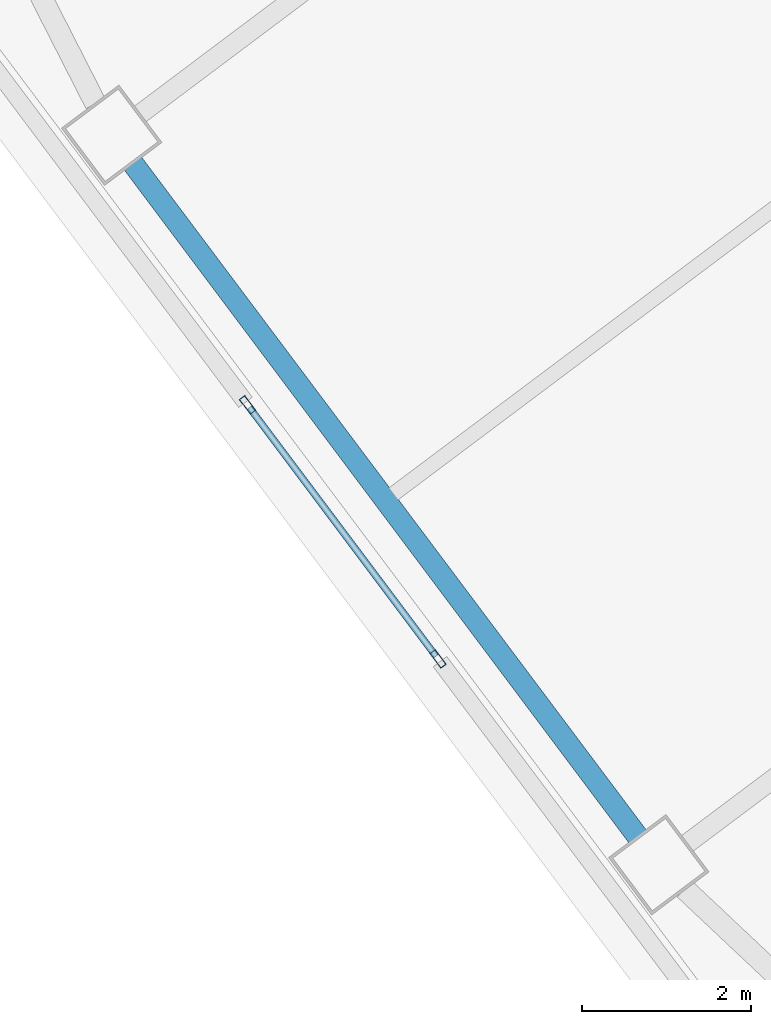
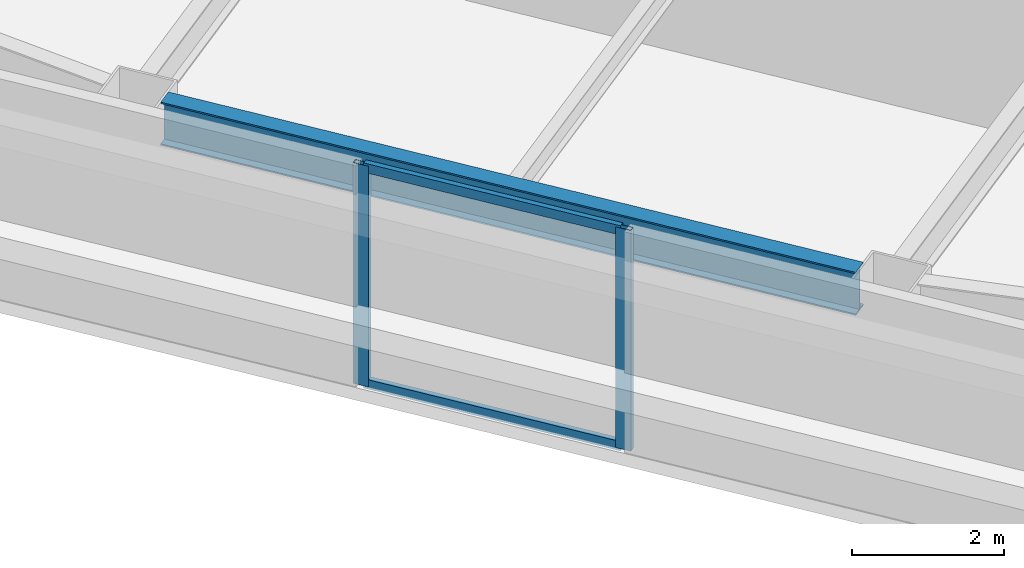
# One storey, part 16 of 44: 4 members, 1 beam, 1 element without a shape of its own.
"""IFC4 building model written with IfcOpenShell, lengths in metres."""

from ifc_helpers import new_model, si_unit, direction, frame, origin, origin_2d, place, context, subcontext, project, spatial, hollow_rectangle, i_section, extrude, material, material_profile, profile_set, type_object, element, aggregate, save


model = new_model("IFC4")

# Units and contexts
model_context = context("Model", 3, precision=1e-05, world=origin(), true_north=direction((0.0, 1.0)))
body_context = subcontext(model_context, "Body", "Model", "MODEL_VIEW")
ifc_project = project(units=[si_unit("LENGTHUNIT", "METRE"), si_unit("AREAUNIT", "SQUARE_METRE"), si_unit("VOLUMEUNIT", "CUBIC_METRE"), si_unit("PLANEANGLEUNIT", "RADIAN"), si_unit("MASSUNIT", "GRAM", prefix="KILO")], contexts=[model_context])

# Site, building, storey
site_placement = place(None, origin())
site = spatial("IfcSite", under=ifc_project, at=site_placement, CompositionType="ELEMENT")
building_placement = place(site_placement, origin())
building = spatial("IfcBuilding", under=site, at=building_placement, Name="Tashvorn Skyway Center", CompositionType="ELEMENT")
storey_placement = place(building_placement, frame((0.0, 0.0, 95.60009765625)))
storey = spatial("IfcBuildingStorey", under=building, at=storey_placement, Name="L25", CompositionType="ELEMENT", Elevation=95.60009765625)

# Beam
ifc_material_1 = material(Name="Steel ASTM A992 Grade 50", Category="steel")
ifc_material_profile_1 = material_profile(ifc_material_1, i_section(OverallWidth=0.256103515625, OverallDepth=0.693115234375, WebThickness=0.014404296875, FlangeThickness=0.023681640625, at=origin_2d()), Name="W27X114")
ifc_profile_set_1 = profile_set([ifc_material_profile_1], Name="Steel ASTM A992 Grade 50")
beam_type = type_object("IfcBeamType", Name="BM-SPANDREL-W27X114", PredefinedType="SPANDREL", material=ifc_profile_set_1)
beam_placement = place(storey_placement, frame((95.612060546875, 24.43408203125, 3.00341796875), z_axis=(0.599988234018, -0.800008824351, 0.0), x_axis=(0.800008824351, 0.599988234018, 0.0)))
element("IfcBeam", 1, at=beam_placement, inside=storey, type_object=beam_type, Name="Tower 2 L25 Spandrel Beam 11", PredefinedType="SPANDREL", context=body_context, shape_type="SweptSolid", body=[
    extrude(i_section(OverallWidth=0.256103515625, OverallDepth=0.693115234375, WebThickness=0.014404296875, FlangeThickness=0.023681640625, at=origin_2d()), origin(), (0.0, 0.0, 1.0), 9.9599609375),
])

# Curtain wall, members
ifc_material_2 = material(Name="Thermally broken bronze-anodized aluminium 6063-T6", Category="aluminium")
curtain_wall_type = type_object("IfcCurtainWallType", Name="CW-CW-Z2", PredefinedType="NOTDEFINED", material=ifc_material_2)
curtain_wall_placement = place(storey_placement, origin())
curtain_wall = element("IfcCurtainWall", 2, at=curtain_wall_placement, inside=storey, type_object=curtain_wall_type, Name="Tower 2 L25 West Unitised Curtain Wall Glazing Group 2", PredefinedType="NOTDEFINED")
ifc_material_profile_2 = material_profile(ifc_material_2, hollow_rectangle(XDim=0.080078125, YDim=0.219970703125, WallThickness=0.0048828125, at=origin_2d()), Name="ALU-MULL-80x220")
ifc_profile_set_2 = profile_set([ifc_material_profile_2], Name="Thermally broken bronze-anodized aluminium 6063-T6")
member_type_1 = type_object("IfcMemberType", Name="CWM-CW-Z2", PredefinedType="MULLION", material=ifc_profile_set_2)
member_1_placement = place(storey_placement, frame((99.22412109375, 18.568115234375, 0.0), z_axis=(0.0, 0.0, 1.0), x_axis=(-0.799999999998, -0.600000000002, 0.0)))
member_1 = element("IfcMember", 3, at=member_1_placement, type_object=member_type_1, Name="CW-Z2 mullion 1", PredefinedType="MULLION", context=body_context, shape_type="SweptSolid", body=[
    extrude(hollow_rectangle(XDim=0.080078125, YDim=0.219970703125, WallThickness=0.0048828125, at=origin_2d()), origin(), (0.0, 0.0, 1.0), 3.5498046875),
])
member_2_placement = place(storey_placement, frame((96.968017578125, 21.575927734375, 0.0), z_axis=(0.0, 0.0, 1.0), x_axis=(-0.799999999998, -0.600000000002, 0.0)))
member_2 = element("IfcMember", 4, at=member_2_placement, type_object=member_type_1, Name="CW-Z2 mullion 2", PredefinedType="MULLION", context=body_context, shape_type="SweptSolid", body=[
    extrude(hollow_rectangle(XDim=0.080078125, YDim=0.219970703125, WallThickness=0.0048828125, at=origin_2d()), origin(), (0.0, 0.0, 1.0), 3.5498046875),
])
ifc_material_profile_3 = material_profile(ifc_material_2, hollow_rectangle(XDim=0.080078125, YDim=0.14990234375, WallThickness=0.00439453125, at=origin_2d()), Name="ALU-TRAN-80x150")
ifc_profile_set_3 = profile_set([ifc_material_profile_3], Name="Thermally broken bronze-anodized aluminium 6063-T6")
member_type_2 = type_object("IfcMemberType", Name="CWT-CW-Z2", PredefinedType="USERDEFINED", material=ifc_profile_set_3)
member_3_placement = place(storey_placement, frame((99.199951171875, 18.60009765625, 0.039794921875), z_axis=(-0.600021230084, 0.799984076997, 0.0), x_axis=(-0.799984076997, -0.600021230084, 0.0)))
member_3 = element("IfcMember", 5, at=member_3_placement, type_object=member_type_2, Name="CW-Z2 transom 1.1", ObjectType="TRANSOM", PredefinedType="USERDEFINED", context=body_context, shape_type="SweptSolid", body=[
    extrude(hollow_rectangle(XDim=0.080078125, YDim=0.14990234375, WallThickness=0.00439453125, at=origin_2d()), origin(), (0.0, 0.0, 1.0), 3.679931640625),
])
member_4_placement = place(storey_placement, frame((99.199951171875, 18.60009765625, 3.510009765625), z_axis=(-0.600021230084, 0.799984076997, 0.0), x_axis=(-0.799984076997, -0.600021230084, 0.0)))
member_4 = element("IfcMember", 6, at=member_4_placement, type_object=member_type_2, Name="CW-Z2 transom 1.2", ObjectType="TRANSOM", PredefinedType="USERDEFINED", context=body_context, shape_type="SweptSolid", body=[
    extrude(hollow_rectangle(XDim=0.080078125, YDim=0.14990234375, WallThickness=0.00439453125, at=origin_2d()), origin(), (0.0, 0.0, 1.0), 3.679931640625),
])
aggregate(curtain_wall, [member_1, member_2, member_3, member_4])

save(model, "model.ifc")
